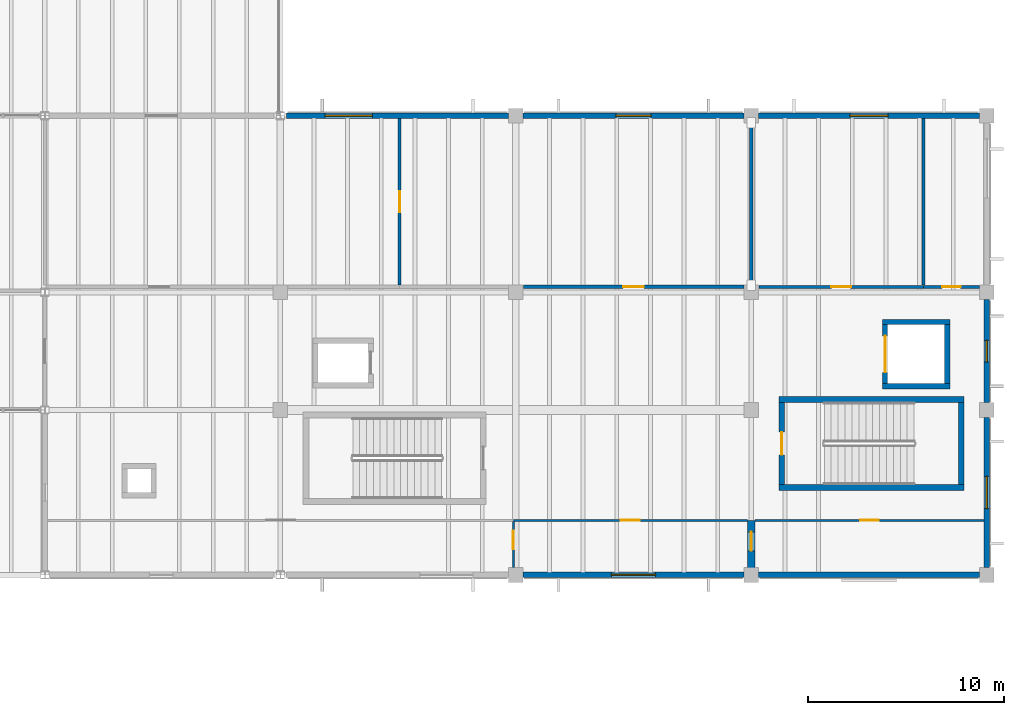
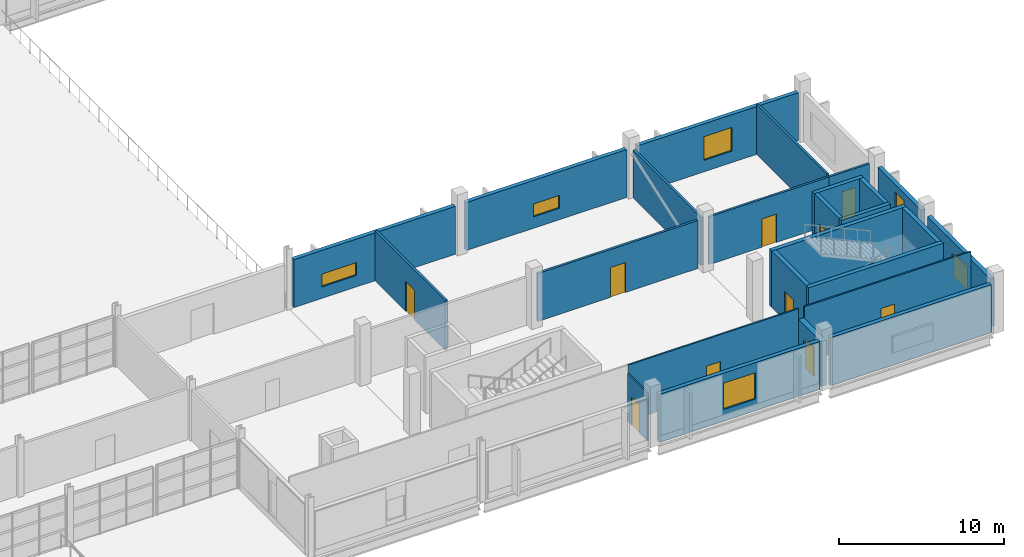
# One storey, part 61 of 78: 25 walls, 10 doors, 6 windows, 16 openings.
"""IFC4 building model written with IfcOpenShell, lengths in metres."""

from ifc_helpers import new_model, si_unit, direction, frame, frame_2d, origin, place, context, subcontext, project, spatial, rectangle, extrude, material, layer, layer_set, type_object, element, fill, save


model = new_model("IFC4")

# Units and contexts
model_context = context("Model", 3, precision=1e-05, world=origin(), true_north=direction((0.0, 1.0)))
body_context = subcontext(model_context, "Body", "Model", "MODEL_VIEW")
ifc_project = project(units=[si_unit("LENGTHUNIT", "METRE"), si_unit("AREAUNIT", "SQUARE_METRE"), si_unit("VOLUMEUNIT", "CUBIC_METRE"), si_unit("PLANEANGLEUNIT", "RADIAN"), si_unit("MASSUNIT", "GRAM", prefix="KILO")], contexts=[model_context])

# Site, building, storey
site_placement = place(None, origin())
site = spatial("IfcSite", under=ifc_project, at=site_placement, CompositionType="ELEMENT")
building_placement = place(site_placement, origin())
building = spatial("IfcBuilding", under=site, at=building_placement, Name="Kelmvaro Bay Concert Hall", CompositionType="ELEMENT")
storey_placement = place(building_placement, frame((0.0, 0.0, 9.300048828125)))
storey = spatial("IfcBuildingStorey", under=building, at=storey_placement, Name="L02", CompositionType="ELEMENT", Elevation=9.300048828125)

# Wall, opening, door
ifc_material_1 = material(Name="Acoustic Gypsum Board on Galvanised Steel Studs", Category="steel")
ifc_layer_1 = layer(ifc_material_1, 0.110107421875)
ifc_layer_set_1 = layer_set([ifc_layer_1], Name="Acoustic Gypsum Board on Galvanised Steel Studs")
wall_type_1 = type_object("IfcWallType", Name="Administration Demising Partition 110", PredefinedType="PARTITIONING", material=ifc_layer_set_1)
wall_1_placement = place(storey_placement, frame((143.875, 18.3798828125, 0.0), z_axis=(0.0, 0.0, 1.0), x_axis=(1.0, 0.0, 0.0)))
wall_1 = element("IfcWall", 1, at=wall_1_placement, inside=storey, type_object=wall_type_1, Name="L02 Interior Partition PT-L02-0257", PredefinedType="PARTITIONING", context=body_context, shape_type="SweptSolid", body=[
    extrude(rectangle(XDim=11.925048828125, YDim=0.110107421875, at=frame_2d((5.96240234375, 0.0))), origin(), (0.0, 0.0, 1.0), 4.159912109375),
])
opening_1_placement = place(wall_1_placement, frame((5.482421875, 0.0, 0.0)))
opening_1 = element("IfcOpeningElement", 2, at=opening_1_placement, cuts=wall_1, Name="Opening ID-AD1", PredefinedType="OPENING", context=body_context, shape_type="SweptSolid", body=[
    extrude(rectangle(XDim=0.9599609375, YDim=2.159912109375, at=frame_2d((0.47998046875, 1.080078125))), frame((0.0, 0.06494140625, 0.0), z_axis=(0.0, -1.0, 0.0), x_axis=(1.0, 0.0, 0.0)), (0.0, 0.0, 1.0), 0.130126953125),
])
ifc_material_2 = material(Name="Anodised Aluminium and Glass", Category="aluminium")
door_type_1 = type_object("IfcDoorType", Name="Administration Suite Glazed Door 960x2160", OperationType="NOTDEFINED", PredefinedType="DOOR", material=ifc_material_2)
door_1_placement = place(opening_1_placement, origin())
door_1 = element("IfcDoor", 3, at=door_1_placement, inside=storey, type_object=door_type_1, Name="L02 Interior Door DR-INT-L02-0151", OperationType="SINGLE_SWING_LEFT", OverallHeight=2.159912109375, OverallWidth=0.9599609375, PredefinedType="DOOR", context=body_context, shape_type="SweptSolid", body=[
    extrude(rectangle(XDim=0.9599609375, YDim=2.159912109375, at=frame_2d((0.47998046875, 1.080078125))), frame((0.0, 0.02490234375, 0.0), z_axis=(0.0, -1.0, 0.0), x_axis=(1.0, 0.0, 0.0)), (0.0, 0.0, 1.0), 0.050048828125),
])
fill(opening_1, door_1)

wall_2_placement = place(storey_placement, frame((156.199951171875, 18.3798828125, 0.0), z_axis=(0.0, 0.0, 1.0), x_axis=(1.0, 0.0, 0.0)))
wall_2 = element("IfcWall", 4, at=wall_2_placement, inside=storey, type_object=wall_type_1, Name="L02 Interior Partition PT-L02-0258", PredefinedType="PARTITIONING", context=body_context, shape_type="SweptSolid", body=[
    extrude(rectangle(XDim=11.650146484375, YDim=0.110107421875, at=frame_2d((5.8251953125, 0.0))), origin(), (0.0, 0.0, 1.0), 4.159912109375),
])
opening_2_placement = place(wall_2_placement, frame((5.344970703125, 0.0, 0.0)))
opening_2 = element("IfcOpeningElement", 5, at=opening_2_placement, cuts=wall_2, Name="Opening ID-AD1", PredefinedType="OPENING", context=body_context, shape_type="SweptSolid", body=[
    extrude(rectangle(XDim=0.9599609375, YDim=2.159912109375, at=frame_2d((0.47998046875, 1.080078125))), frame((0.0, 0.06494140625, 0.0), z_axis=(0.0, -1.0, 0.0), x_axis=(1.0, 0.0, 0.0)), (0.0, 0.0, 1.0), 0.130126953125),
])
door_2_placement = place(opening_2_placement, origin())
door_2 = element("IfcDoor", 6, at=door_2_placement, inside=storey, type_object=door_type_1, Name="L02 Interior Door DR-INT-L02-0152", OperationType="SINGLE_SWING_RIGHT", OverallHeight=2.159912109375, OverallWidth=0.9599609375, PredefinedType="DOOR", context=body_context, shape_type="SweptSolid", body=[
    extrude(rectangle(XDim=0.9599609375, YDim=2.159912109375, at=frame_2d((0.47998046875, 1.080078125))), frame((0.0, 0.02490234375, 0.0), z_axis=(0.0, -1.0, 0.0), x_axis=(1.0, 0.0, 0.0)), (0.0, 0.0, 1.0), 0.050048828125),
])
fill(opening_2, door_2)

wall_3_placement = place(storey_placement, frame((143.8798828125, 15.98291015625, 0.0), z_axis=(0.0, 0.0, 1.0), x_axis=(0.0, 1.0, 0.0)))
wall_3 = element("IfcWall", 7, at=wall_3_placement, inside=storey, type_object=wall_type_1, Name="L02 Interior Partition PT-L02-0266", PredefinedType="PARTITIONING", context=body_context, shape_type="SweptSolid", body=[
    extrude(rectangle(XDim=2.33203125, YDim=0.110107421875, at=frame_2d((1.166015625, 0.0))), origin(), (0.0, 0.0, 1.0), 3.549072265625),
])
opening_3_placement = place(wall_3_placement, frame((0.932861328125, 0.0, 0.0)))
opening_3 = element("IfcOpeningElement", 8, at=opening_3_placement, cuts=wall_3, Name="Opening ID-WC1", PredefinedType="OPENING", context=body_context, shape_type="SweptSolid", body=[
    extrude(rectangle(XDim=0.93994140625, YDim=2.10009765625, at=frame_2d((0.469970703125, 1.050048828125))), frame((0.0, 0.06494140625, 0.0), z_axis=(0.0, -1.0, 0.0), x_axis=(1.0, 0.0, 0.0)), (0.0, 0.0, 1.0), 0.130126953125),
])
ifc_material_3 = material(Name="High-Pressure Laminate Core")
door_type_2 = type_object("IfcDoorType", Name="Accessible Restroom Door 940x2100", OperationType="NOTDEFINED", PredefinedType="DOOR", material=ifc_material_3)
door_3_placement = place(opening_3_placement, origin())
door_3 = element("IfcDoor", 9, at=door_3_placement, inside=storey, type_object=door_type_2, Name="L02 Interior Door DR-INT-L02-0158", OperationType="SINGLE_SWING_RIGHT", OverallHeight=2.10009765625, OverallWidth=0.93994140625, PredefinedType="DOOR", context=body_context, shape_type="SweptSolid", body=[
    extrude(rectangle(XDim=0.93994140625, YDim=2.10009765625, at=frame_2d((0.469970703125, 1.050048828125))), frame((0.0, 0.02490234375, 0.0), z_axis=(0.0, -1.0, 0.0), x_axis=(1.0, 0.0, 0.0)), (0.0, 0.0, 1.0), 0.050048828125),
])
fill(opening_3, door_3)

ifc_material_4 = material(Name="Concrete C40/50", Category="concrete")
ifc_layer_2 = layer(ifc_material_4, 0.3798828125)
ifc_layer_set_2 = layer_set([ifc_layer_2], Name="Concrete C40/50")
wall_type_2 = type_object("IfcWallType", Name="Pavilion Brace Bay Shear Wall 380", PredefinedType="SHEAR", material=ifc_layer_set_2)
wall_4_placement = place(storey_placement, frame((156.0, 15.64990234375, 0.0), z_axis=(0.0, 0.0, 1.0), x_axis=(0.0, 1.0, 0.0)))
wall_4 = element("IfcWall", 10, at=wall_4_placement, inside=storey, type_object=wall_type_2, Name="L02 Pavilion Shear Wall Pier", PredefinedType="SHEAR", context=body_context, shape_type="SweptSolid", body=[
    extrude(rectangle(XDim=2.72998046875, YDim=0.3798828125, at=frame_2d((1.364990234375, 0.0))), origin(), (0.0, 0.0, 1.0), 3.329833984375),
])
opening_4_placement = place(wall_4_placement, frame((1.177490234375, 0.0, 0.0)))
opening_4 = element("IfcOpeningElement", 11, at=opening_4_placement, cuts=wall_4, Name="Opening ID-AD1", PredefinedType="OPENING", context=body_context, shape_type="SweptSolid", body=[
    extrude(rectangle(XDim=0.9599609375, YDim=2.159912109375, at=frame_2d((0.47998046875, 1.080078125))), frame((0.0, 0.199951171875, 0.0), z_axis=(0.0, -1.0, 0.0), x_axis=(1.0, 0.0, 0.0)), (0.0, 0.0, 1.0), 0.39990234375),
])
door_4_placement = place(opening_4_placement, origin())
door_4 = element("IfcDoor", 12, at=door_4_placement, inside=storey, type_object=door_type_1, Name="L02 Interior Door DR-INT-L02-0159", OperationType="SINGLE_SWING_LEFT", OverallHeight=2.159912109375, OverallWidth=0.9599609375, PredefinedType="DOOR", context=body_context, shape_type="SweptSolid", body=[
    extrude(rectangle(XDim=0.9599609375, YDim=2.159912109375, at=frame_2d((0.47998046875, 1.080078125))), frame((0.0, 0.02490234375, 0.0), z_axis=(0.0, -1.0, 0.0), x_axis=(1.0, 0.0, 0.0)), (0.0, 0.0, 1.0), 0.050048828125),
])
fill(opening_4, door_4)

# Wall, opening, window
ifc_material_5 = material(Name="Precast Concrete C40/50", Category="concrete")
ifc_layer_3 = layer(ifc_material_5, 0.280029296875)
ifc_layer_set_3 = layer_set([ifc_layer_3], Name="Precast Concrete C40/50")
wall_type_3 = type_object("IfcWallType", Name="Percussion Pavilion Precast Wall 280", PredefinedType="SOLIDWALL", material=ifc_layer_set_3)
wall_5_placement = place(storey_placement, frame((155.625, 15.60009765625, 0.0), z_axis=(0.0, 0.0, 1.0), x_axis=(-1.0, 0.0, 0.0)))
wall_5 = element("IfcWall", 13, at=wall_5_placement, inside=storey, type_object=wall_type_3, Name="L02 Exterior Wall EW-L02-0222", PredefinedType="SOLIDWALL", context=body_context, shape_type="SweptSolid", body=[
    extrude(rectangle(XDim=11.25, YDim=0.280029296875, at=frame_2d((5.625, 0.0))), origin(), (0.0, 0.0, 1.0), 3.549072265625),
])
opening_5_placement = place(wall_5_placement, frame((4.5, 0.0, 0.85009765625)))
opening_5 = element("IfcOpeningElement", 14, at=opening_5_placement, cuts=wall_5, Name="Opening WN-08", PredefinedType="OPENING", context=body_context, shape_type="SweptSolid", body=[
    extrude(rectangle(XDim=2.25, YDim=1.949951171875, at=frame_2d((1.125, 0.97509765625))), frame((0.0, 0.14990234375, 0.0), z_axis=(0.0, -1.0, 0.0), x_axis=(1.0, 0.0, 0.0)), (0.0, 0.0, 1.0), 0.300048828125),
])
ifc_material_6 = material(Name="Thermally Broken Aluminium and Acoustic Low-E Glass", Category="aluminium")
window_type_1 = type_object("IfcWindowType", Name="Classroom Mullion Window 2250x1950", PartitioningType="SINGLE_PANEL", PredefinedType="WINDOW", material=ifc_material_6)
window_1_placement = place(opening_5_placement, origin())
window_1 = element("IfcWindow", 15, at=window_1_placement, inside=storey, type_object=window_type_1, Name="L02 Facade Window WN-L02-0115", OverallHeight=1.949951171875, OverallWidth=2.25, PartitioningType="SINGLE_PANEL", PredefinedType="WINDOW", context=body_context, shape_type="SweptSolid", body=[
    extrude(rectangle(XDim=2.25, YDim=1.949951171875, at=frame_2d((1.125, 0.97509765625))), frame((0.0, 0.030029296875, 0.0), z_axis=(0.0, -1.0, 0.0), x_axis=(1.0, 0.0, 0.0)), (0.0, 0.0, 1.0), 0.06005859375),
])
fill(opening_5, window_1)

# Wall
wall_6_placement = place(storey_placement, frame((167.625, 15.60009765625, 0.0), z_axis=(0.0, 0.0, 1.0), x_axis=(-1.0, 0.0, 0.0)))
element("IfcWall", 16, at=wall_6_placement, inside=storey, type_object=wall_type_3, Name="L02 Exterior Wall EW-L02-0223", PredefinedType="SOLIDWALL", context=body_context, shape_type="SweptSolid", body=[
    extrude(rectangle(XDim=11.25, YDim=0.280029296875, at=frame_2d((5.625, 0.0))), origin(), (0.0, 0.0, 1.0), 3.549072265625),
])

# Wall, opening, window
wall_7_placement = place(storey_placement, frame((132.324951171875, 39.0, 0.0), z_axis=(0.0, 0.0, 1.0), x_axis=(1.0, 0.0, 0.0)))
wall_7 = element("IfcWall", 17, at=wall_7_placement, inside=storey, type_object=wall_type_3, Name="L02 Exterior Wall EW-L02-0225", PredefinedType="SOLIDWALL", context=body_context, shape_type="SweptSolid", body=[
    extrude(rectangle(XDim=11.300048828125, YDim=0.280029296875, at=frame_2d((5.64990234375, 0.0))), origin(), (0.0, 0.0, 1.0), 3.549072265625),
])
opening_6_placement = place(wall_7_placement, frame((1.964111328125, 0.0, 0.85009765625)))
opening_6 = element("IfcOpeningElement", 18, at=opening_6_placement, cuts=wall_7, Name="Opening WN-09", PredefinedType="OPENING", context=body_context, shape_type="SweptSolid", body=[
    extrude(rectangle(XDim=2.39990234375, YDim=0.949951171875, at=frame_2d((1.199951171875, 0.47509765625))), frame((0.0, 0.14990234375, 0.0), z_axis=(0.0, -1.0, 0.0), x_axis=(1.0, 0.0, 0.0)), (0.0, 0.0, 1.0), 0.300048828125),
])
ifc_material_7 = material(Name="Thermally Broken Aluminium and Acoustic Low-E Glass", Category="aluminium")
window_type_2 = type_object("IfcWindowType", Name="Archive Clerestory Window 2400x950", PartitioningType="SINGLE_PANEL", PredefinedType="WINDOW", material=ifc_material_7)
window_2_placement = place(opening_6_placement, origin())
window_2 = element("IfcWindow", 19, at=window_2_placement, inside=storey, type_object=window_type_2, Name="L02 Facade Window WN-L02-0116", OverallHeight=0.949951171875, OverallWidth=2.39990234375, PartitioningType="SINGLE_PANEL", PredefinedType="WINDOW", context=body_context, shape_type="SweptSolid", body=[
    extrude(rectangle(XDim=2.39990234375, YDim=0.949951171875, at=frame_2d((1.199951171875, 0.47509765625))), frame((0.0, 0.030029296875, 0.0), z_axis=(0.0, -1.0, 0.0), x_axis=(1.0, 0.0, 0.0)), (0.0, 0.0, 1.0), 0.06005859375),
])
fill(opening_6, window_2)

wall_8_placement = place(storey_placement, frame((144.375, 39.0, 0.0), z_axis=(0.0, 0.0, 1.0), x_axis=(1.0, 0.0, 0.0)))
wall_8 = element("IfcWall", 20, at=wall_8_placement, inside=storey, type_object=wall_type_3, Name="L02 Exterior Wall EW-L02-0226", PredefinedType="SOLIDWALL", context=body_context, shape_type="SweptSolid", body=[
    extrude(rectangle(XDim=11.25, YDim=0.280029296875, at=frame_2d((5.625, 0.0))), origin(), (0.0, 0.0, 1.0), 3.549072265625),
])
opening_7_placement = place(wall_8_placement, frame((4.72509765625, 0.0, 0.85009765625)))
opening_7 = element("IfcOpeningElement", 21, at=opening_7_placement, cuts=wall_8, Name="Opening WN-10", PredefinedType="OPENING", context=body_context, shape_type="SweptSolid", body=[
    extrude(rectangle(XDim=1.800048828125, YDim=0.949951171875, at=frame_2d((0.89990234375, 0.47509765625))), frame((0.0, 0.14990234375, 0.0), z_axis=(0.0, -1.0, 0.0), x_axis=(1.0, 0.0, 0.0)), (0.0, 0.0, 1.0), 0.300048828125),
])
ifc_material_8 = material(Name="Thermally Broken Aluminium and Acoustic Low-E Glass", Category="aluminium")
window_type_3 = type_object("IfcWindowType", Name="Archive Clerestory Window 1800x950", PartitioningType="SINGLE_PANEL", PredefinedType="WINDOW", material=ifc_material_8)
window_3_placement = place(opening_7_placement, origin())
window_3 = element("IfcWindow", 22, at=window_3_placement, inside=storey, type_object=window_type_3, Name="L02 Facade Window WN-L02-0117", OverallHeight=0.949951171875, OverallWidth=1.800048828125, PartitioningType="SINGLE_PANEL", PredefinedType="WINDOW", context=body_context, shape_type="SweptSolid", body=[
    extrude(rectangle(XDim=1.800048828125, YDim=0.949951171875, at=frame_2d((0.89990234375, 0.47509765625))), frame((0.0, 0.030029296875, 0.0), z_axis=(0.0, -1.0, 0.0), x_axis=(1.0, 0.0, 0.0)), (0.0, 0.0, 1.0), 0.06005859375),
])
fill(opening_7, window_3)

wall_9_placement = place(storey_placement, frame((156.375, 39.0, 0.0), z_axis=(0.0, 0.0, 1.0), x_axis=(1.0, 0.0, 0.0)))
wall_9 = element("IfcWall", 23, at=wall_9_placement, inside=storey, type_object=wall_type_3, Name="L02 Exterior Wall EW-L02-0227", PredefinedType="SOLIDWALL", context=body_context, shape_type="SweptSolid", body=[
    extrude(rectangle(XDim=11.25, YDim=0.280029296875, at=frame_2d((5.625, 0.0))), origin(), (0.0, 0.0, 1.0), 3.549072265625),
])
opening_8_placement = place(wall_9_placement, frame((4.64990234375, 0.0, 0.85009765625)))
opening_8 = element("IfcOpeningElement", 24, at=opening_8_placement, cuts=wall_9, Name="Opening WN-11", PredefinedType="OPENING", context=body_context, shape_type="SweptSolid", body=[
    extrude(rectangle(XDim=1.949951171875, YDim=1.75, at=frame_2d((0.97509765625, 0.875))), frame((0.0, 0.14990234375, 0.0), z_axis=(0.0, -1.0, 0.0), x_axis=(1.0, 0.0, 0.0)), (0.0, 0.0, 1.0), 0.300048828125),
])
ifc_material_9 = material(Name="Thermally Broken Aluminium and Acoustic Low-E Glass", Category="aluminium")
window_type_4 = type_object("IfcWindowType", Name="Administration View Window 1950x1750", PartitioningType="SINGLE_PANEL", PredefinedType="WINDOW", material=ifc_material_9)
window_4_placement = place(opening_8_placement, origin())
window_4 = element("IfcWindow", 25, at=window_4_placement, inside=storey, type_object=window_type_4, Name="L02 Facade Window WN-L02-0118", OverallHeight=1.75, OverallWidth=1.949951171875, PartitioningType="SINGLE_PANEL", PredefinedType="WINDOW", context=body_context, shape_type="SweptSolid", body=[
    extrude(rectangle(XDim=1.949951171875, YDim=1.75, at=frame_2d((0.97509765625, 0.875))), frame((0.0, 0.030029296875, 0.0), z_axis=(0.0, -1.0, 0.0), x_axis=(1.0, 0.0, 0.0)), (0.0, 0.0, 1.0), 0.06005859375),
])
fill(opening_8, window_4)

wall_10_placement = place(storey_placement, frame((168.0, 23.625, 0.0), z_axis=(0.0, 0.0, 1.0), x_axis=(0.0, -1.0, 0.0)))
wall_10 = element("IfcWall", 26, at=wall_10_placement, inside=storey, type_object=wall_type_3, Name="L02 Exterior Wall EW-L02-0228", PredefinedType="SOLIDWALL", context=body_context, shape_type="SweptSolid", body=[
    extrude(rectangle(XDim=7.64990234375, YDim=0.280029296875, at=frame_2d((3.824951171875, 0.0))), origin(), (0.0, 0.0, 1.0), 3.5478515625),
])
opening_9_placement = place(wall_10_placement, frame((3.0, 0.0, 0.85009765625)))
opening_9 = element("IfcOpeningElement", 27, at=opening_9_placement, cuts=wall_10, Name="Opening WN-12", PredefinedType="OPENING", context=body_context, shape_type="SweptSolid", body=[
    extrude(rectangle(XDim=1.64990234375, YDim=1.75, at=frame_2d((0.824951171875, 0.875))), frame((0.0, 0.14990234375, 0.0), z_axis=(0.0, -1.0, 0.0), x_axis=(1.0, 0.0, 0.0)), (0.0, 0.0, 1.0), 0.300048828125),
])
ifc_material_10 = material(Name="Thermally Broken Aluminium and Acoustic Low-E Glass", Category="aluminium")
window_type_5 = type_object("IfcWindowType", Name="Administration View Window 1650x1750", PartitioningType="SINGLE_PANEL", PredefinedType="WINDOW", material=ifc_material_10)
window_5_placement = place(opening_9_placement, origin())
window_5 = element("IfcWindow", 28, at=window_5_placement, inside=storey, type_object=window_type_5, Name="L02 Facade Window WN-L02-0119", OverallHeight=1.75, OverallWidth=1.64990234375, PartitioningType="SINGLE_PANEL", PredefinedType="WINDOW", context=body_context, shape_type="SweptSolid", body=[
    extrude(rectangle(XDim=1.64990234375, YDim=1.75, at=frame_2d((0.824951171875, 0.875))), frame((0.0, 0.030029296875, 0.0), z_axis=(0.0, -1.0, 0.0), x_axis=(1.0, 0.0, 0.0)), (0.0, 0.0, 1.0), 0.06005859375),
])
fill(opening_9, window_5)

wall_11_placement = place(storey_placement, frame((168.0, 29.625, 0.0), z_axis=(0.0, 0.0, 1.0), x_axis=(0.0, -1.0, 0.0)))
wall_11 = element("IfcWall", 29, at=wall_11_placement, inside=storey, type_object=wall_type_3, Name="L02 Exterior Wall EW-L02-0230", PredefinedType="SOLIDWALL", context=body_context, shape_type="SweptSolid", body=[
    extrude(rectangle(XDim=5.25, YDim=0.280029296875, at=frame_2d((2.625, 0.0))), origin(), (0.0, 0.0, 1.0), 3.5478515625),
])
opening_10_placement = place(wall_11_placement, frame((2.074951171875, 0.0, 0.60009765625)))
opening_10 = element("IfcOpeningElement", 30, at=opening_10_placement, cuts=wall_11, Name="Opening WN-14", PredefinedType="OPENING", context=body_context, shape_type="SweptSolid", body=[
    extrude(rectangle(XDim=1.10009765625, YDim=2.39990234375, at=frame_2d((0.550048828125, 1.199951171875))), frame((0.0, 0.14990234375, 0.0), z_axis=(0.0, -1.0, 0.0), x_axis=(1.0, 0.0, 0.0)), (0.0, 0.0, 1.0), 0.300048828125),
])
ifc_material_11 = material(Name="Thermally Broken Aluminium and Acoustic Low-E Glass", Category="aluminium")
window_type_6 = type_object("IfcWindowType", Name="Salon Vertical Slot Window 1100x2400", PartitioningType="SINGLE_PANEL", PredefinedType="WINDOW", material=ifc_material_11)
window_6_placement = place(opening_10_placement, origin())
window_6 = element("IfcWindow", 31, at=window_6_placement, inside=storey, type_object=window_type_6, Name="L02 Facade Window WN-L02-0121", OverallHeight=2.39990234375, OverallWidth=1.10009765625, PartitioningType="SINGLE_PANEL", PredefinedType="WINDOW", context=body_context, shape_type="SweptSolid", body=[
    extrude(rectangle(XDim=1.10009765625, YDim=2.39990234375, at=frame_2d((0.550048828125, 1.199951171875))), frame((0.0, 0.030029296875, 0.0), z_axis=(0.0, -1.0, 0.0), x_axis=(1.0, 0.0, 0.0)), (0.0, 0.0, 1.0), 0.06005859375),
])
fill(opening_10, window_6)

# Wall, opening, door
ifc_material_12 = material(Name="Acoustic Gypsum Board on Galvanised Steel Studs", Category="steel")
ifc_layer_4 = layer(ifc_material_12, 0.159912109375)
ifc_layer_set_4 = layer_set([ifc_layer_4], Name="Acoustic Gypsum Board on Galvanised Steel Studs")
wall_type_4 = type_object("IfcWallType", Name="Practice Room Acoustic Partition 160", PredefinedType="PARTITIONING", material=ifc_layer_set_4)
wall_12_placement = place(storey_placement, frame((144.383056640625, 30.280029296875, 0.0), z_axis=(0.0, 0.0, 1.0), x_axis=(1.0, 0.0, 0.0)))
wall_12 = element("IfcWall", 32, at=wall_12_placement, inside=storey, type_object=wall_type_4, Name="L02 Interior Partition PT-L02-0262", PredefinedType="PARTITIONING", context=body_context, shape_type="SweptSolid", body=[
    extrude(rectangle(XDim=11.23388671875, YDim=0.159912109375, at=frame_2d((5.616943359375, 0.0))), origin(), (0.0, 0.0, 1.0), 3.549072265625),
])
opening_11_placement = place(wall_12_placement, frame((5.0869140625, 0.0, 0.0)))
opening_11 = element("IfcOpeningElement", 33, at=opening_11_placement, cuts=wall_12, Name="Opening ID-PR2", PredefinedType="OPENING", context=body_context, shape_type="SweptSolid", body=[
    extrude(rectangle(XDim=1.06005859375, YDim=2.219970703125, at=frame_2d((0.530029296875, 1.10986328125))), frame((0.0, 0.08984375, 0.0), z_axis=(0.0, -1.0, 0.0), x_axis=(1.0, 0.0, 0.0)), (0.0, 0.0, 1.0), 0.179931640625),
])
ifc_material_13 = material(Name="Solid White Oak Acoustic Leaf")
door_type_3 = type_object("IfcDoorType", Name="Ensemble Room Acoustic Door 1060x2220", OperationType="NOTDEFINED", PredefinedType="DOOR", material=ifc_material_13)
door_5_placement = place(opening_11_placement, origin())
door_5 = element("IfcDoor", 34, at=door_5_placement, inside=storey, type_object=door_type_3, Name="L02 Interior Door DR-INT-L02-0154", OperationType="SINGLE_SWING_RIGHT", OverallHeight=2.219970703125, OverallWidth=1.06005859375, PredefinedType="DOOR", context=body_context, shape_type="SweptSolid", body=[
    extrude(rectangle(XDim=1.06005859375, YDim=2.219970703125, at=frame_2d((0.530029296875, 1.10986328125))), frame((0.0, 0.02490234375, 0.0), z_axis=(0.0, -1.0, 0.0), x_axis=(1.0, 0.0, 0.0)), (0.0, 0.0, 1.0), 0.050048828125),
])
fill(opening_11, door_5)

wall_13_placement = place(storey_placement, frame((138.080078125, 30.3701171875, 0.0), z_axis=(0.0, 0.0, 1.0), x_axis=(0.0, 1.0, 0.0)))
wall_13 = element("IfcWall", 35, at=wall_13_placement, inside=storey, type_object=wall_type_4, Name="L02 Interior Partition PT-L02-0267", PredefinedType="PARTITIONING", context=body_context, shape_type="SweptSolid", body=[
    extrude(rectangle(XDim=8.47998046875, YDim=0.159912109375, at=frame_2d((4.239990234375, 0.0))), origin(), (0.0, 0.0, 1.0), 3.702880859375),
])
opening_12_placement = place(wall_13_placement, frame((3.7099609375, 0.0, 0.0)))
opening_12 = element("IfcOpeningElement", 36, at=opening_12_placement, cuts=wall_13, Name="Opening ID-PR2", PredefinedType="OPENING", context=body_context, shape_type="SweptSolid", body=[
    extrude(rectangle(XDim=1.06005859375, YDim=2.219970703125, at=frame_2d((0.530029296875, 1.10986328125))), frame((0.0, 0.08984375, 0.0), z_axis=(0.0, -1.0, 0.0), x_axis=(1.0, 0.0, 0.0)), (0.0, 0.0, 1.0), 0.179931640625),
])
door_6_placement = place(opening_12_placement, origin())
door_6 = element("IfcDoor", 37, at=door_6_placement, inside=storey, type_object=door_type_3, Name="L02 Interior Door DR-INT-L02-0160", OperationType="SINGLE_SWING_RIGHT", OverallHeight=2.219970703125, OverallWidth=1.06005859375, PredefinedType="DOOR", context=body_context, shape_type="SweptSolid", body=[
    extrude(rectangle(XDim=1.06005859375, YDim=2.219970703125, at=frame_2d((0.530029296875, 1.10986328125))), frame((0.0, 0.02490234375, 0.0), z_axis=(0.0, -1.0, 0.0), x_axis=(1.0, 0.0, 0.0)), (0.0, 0.0, 1.0), 0.050048828125),
])
fill(opening_12, door_6)

# Walls
wall_14_placement = place(storey_placement, frame((156.0, 30.383056640625, 0.0), z_axis=(0.0, 0.0, 1.0), x_axis=(0.0, 1.0, 0.0)))
element("IfcWall", 38, at=wall_14_placement, inside=storey, type_object=wall_type_4, Name="L02 Interior Partition PT-L02-0269", PredefinedType="PARTITIONING", context=body_context, shape_type="SweptSolid", body=[
    extrude(rectangle(XDim=8.23388671875, YDim=0.159912109375, at=frame_2d((4.116943359375, 0.0))), origin(), (0.0, 0.0, 1.0), 3.549072265625),
])
ifc_material_14 = material(Name="Concrete C40/50", Category="concrete")
ifc_layer_5 = layer(ifc_material_14, 0.27001953125)
ifc_layer_set_5 = layer_set([ifc_layer_5], Name="Concrete C40/50")
wall_type_5 = type_object("IfcWallType", Name="Secondary Shaft Shear Wall 270", PredefinedType="SHEAR", material=ifc_layer_set_5)
for number, where, z_axis, x_axis, name in (
    (39, (162.679931640625, 25.215087890625, 0.0), (0.0, 0.0, 1.0), (1.0, 0.0, 0.0), "L02 LF-08 Lift Shaft Wall S"),
    (40, (162.679931640625, 28.485107421875, 0.0), (0.0, 0.0, 1.0), (1.0, 0.0, 0.0), "L02 LF-08 Lift Shaft Wall N"),
):
    element("IfcWall", number, at=place(storey_placement, frame(where, z_axis=z_axis, x_axis=x_axis)), inside=storey, type_object=wall_type_5, Name=name, PredefinedType="SHEAR", context=body_context, shape_type="SweptSolid", body=[
        extrude(rectangle(XDim=3.440185546875, YDim=0.27001953125, at=frame_2d((1.72021484375, 0.0))), origin(), (0.0, 0.0, 1.0), 4.179931640625),
    ])

# Wall, opening, door
wall_15_placement = place(storey_placement, frame((162.81494140625, 25.35009765625, 0.0), z_axis=(0.0, 0.0, 1.0), x_axis=(0.0, 1.0, 0.0)))
wall_15 = element("IfcWall", 41, at=wall_15_placement, inside=storey, type_object=wall_type_5, Name="L02 LF-08 Lift Shaft Wall W", PredefinedType="SHEAR", context=body_context, shape_type="SweptSolid", body=[
    extrude(rectangle(XDim=3.0, YDim=0.27001953125, at=frame_2d((1.5, 0.0))), origin(), (0.0, 0.0, 1.0), 4.179931640625),
])
opening_13_placement = place(wall_15_placement, frame((0.574951171875, 0.0, 0.0)))
opening_13 = element("IfcOpeningElement", 42, at=opening_13_placement, cuts=wall_15, Name="Opening LD-185", PredefinedType="OPENING", context=body_context, shape_type="SweptSolid", body=[
    extrude(rectangle(XDim=1.85009765625, YDim=2.300048828125, at=frame_2d((0.925048828125, 1.14990234375))), frame((0.0, 0.14501953125, 0.0), z_axis=(0.0, -1.0, 0.0), x_axis=(1.0, 0.0, 0.0)), (0.0, 0.0, 1.0), 0.2900390625),
])
ifc_material_15 = material(Name="Brushed Stainless Steel 304", Category="steel")
door_type_4 = type_object("IfcDoorType", Name="Piano Freight Lift Sliding Landing Door 1850x2300", OperationType="NOTDEFINED", PredefinedType="DOOR", material=ifc_material_15)
door_7_placement = place(opening_13_placement, origin())
door_7 = element("IfcDoor", 43, at=door_7_placement, inside=storey, type_object=door_type_4, Name="L02 Lift Landing Door LF-08", OperationType="SLIDING_TO_LEFT", OverallHeight=2.300048828125, OverallWidth=1.85009765625, PredefinedType="DOOR", context=body_context, shape_type="SweptSolid", body=[
    extrude(rectangle(XDim=1.85009765625, YDim=2.300048828125, at=frame_2d((0.925048828125, 1.14990234375))), frame((0.0, 0.02490234375, 0.0), z_axis=(0.0, -1.0, 0.0), x_axis=(1.0, 0.0, 0.0)), (0.0, 0.0, 1.0), 0.050048828125),
])
fill(opening_13, door_7)

# Walls
wall_16_placement = place(storey_placement, frame((165.985107421875, 25.35009765625, 0.0), z_axis=(0.0, 0.0, 1.0), x_axis=(0.0, 1.0, 0.0)))
element("IfcWall", 44, at=wall_16_placement, inside=storey, type_object=wall_type_5, Name="L02 LF-08 Lift Shaft Wall E", PredefinedType="SHEAR", context=body_context, shape_type="SweptSolid", body=[
    extrude(rectangle(XDim=3.0, YDim=0.27001953125, at=frame_2d((1.5, 0.0))), origin(), (0.0, 0.0, 1.0), 4.179931640625),
])
ifc_material_16 = material(Name="Concrete C40/50", Category="concrete")
ifc_layer_6 = layer(ifc_material_16, 0.2900390625)
ifc_layer_set_6 = layer_set([ifc_layer_6], Name="Concrete C40/50")
wall_type_6 = type_object("IfcWallType", Name="Stair and Lift Core Shear Wall 290", PredefinedType="SHEAR", material=ifc_layer_set_6)
for number, where, z_axis, x_axis, name in (
    (45, (157.409912109375, 20.054931640625, 0.0), (0.0, 0.0, 1.0), (1.0, 0.0, 0.0), "L02 ST-06 Core Shear Wall S"),
    (46, (157.409912109375, 24.534912109375, 0.0), (0.0, 0.0, 1.0), (1.0, 0.0, 0.0), "L02 ST-06 Core Shear Wall N"),
):
    element("IfcWall", number, at=place(storey_placement, frame(where, z_axis=z_axis, x_axis=x_axis)), inside=storey, type_object=wall_type_6, Name=name, PredefinedType="SHEAR", context=body_context, shape_type="SweptSolid", body=[
        extrude(rectangle(XDim=9.43017578125, YDim=0.2900390625, at=frame_2d((4.715087890625, 0.0))), origin(), (0.0, 0.0, 1.0), 4.179931640625),
    ])

# Wall, opening, door
wall_17_placement = place(storey_placement, frame((157.554931640625, 20.199951171875, 0.0), z_axis=(0.0, 0.0, 1.0), x_axis=(0.0, 1.0, 0.0)))
wall_17 = element("IfcWall", 47, at=wall_17_placement, inside=storey, type_object=wall_type_6, Name="L02 ST-06 Core Shear Wall W", PredefinedType="SHEAR", context=body_context, shape_type="SweptSolid", body=[
    extrude(rectangle(XDim=4.18994140625, YDim=0.2900390625, at=frame_2d((2.094970703125, 0.0))), origin(), (0.0, 0.0, 1.0), 4.179931640625),
])
opening_14_placement = place(wall_17_placement, frame((1.52001953125, 0.0, 0.0)))
opening_14 = element("IfcOpeningElement", 48, at=opening_14_placement, cuts=wall_17, Name="Opening ID-ST1", PredefinedType="OPENING", context=body_context, shape_type="SweptSolid", body=[
    extrude(rectangle(XDim=1.14990234375, YDim=2.14990234375, at=frame_2d((0.574951171875, 1.074951171875))), frame((0.0, 0.155029296875, 0.0), z_axis=(0.0, -1.0, 0.0), x_axis=(1.0, 0.0, 0.0)), (0.0, 0.0, 1.0), 0.31005859375),
])
ifc_material_17 = material(Name="Fire-Rated Galvanised Steel", Category="steel")
door_type_5 = type_object("IfcDoorType", Name="Exit Stair Fire Door 1150x2150", OperationType="NOTDEFINED", PredefinedType="DOOR", material=ifc_material_17)
door_8_placement = place(opening_14_placement, origin())
door_8 = element("IfcDoor", 49, at=door_8_placement, inside=storey, type_object=door_type_5, Name="L02 ST-06 Stair Fire Door", OperationType="SINGLE_SWING_LEFT", OverallHeight=2.14990234375, OverallWidth=1.14990234375, PredefinedType="DOOR", context=body_context, shape_type="SweptSolid", body=[
    extrude(rectangle(XDim=1.14990234375, YDim=2.14990234375, at=frame_2d((0.574951171875, 1.074951171875))), frame((0.0, 0.02490234375, 0.0), z_axis=(0.0, -1.0, 0.0), x_axis=(1.0, 0.0, 0.0)), (0.0, 0.0, 1.0), 0.050048828125),
])
fill(opening_14, door_8)

# Wall
wall_18_placement = place(storey_placement, frame((166.695068359375, 20.199951171875, 0.0), z_axis=(0.0, 0.0, 1.0), x_axis=(0.0, 1.0, 0.0)))
element("IfcWall", 50, at=wall_18_placement, inside=storey, type_object=wall_type_6, Name="L02 ST-06 Core Shear Wall E", PredefinedType="SHEAR", context=body_context, shape_type="SweptSolid", body=[
    extrude(rectangle(XDim=4.18994140625, YDim=0.2900390625, at=frame_2d((2.094970703125, 0.0))), origin(), (0.0, 0.0, 1.0), 4.179931640625),
])

# Wall, opening, door
ifc_material_18 = material(Name="Acoustic Gypsum Board on Galvanised Steel Studs", Category="steel")
ifc_layer_7 = layer(ifc_material_18, 0.14990234375)
ifc_layer_set_7 = layer_set([ifc_layer_7], Name="Acoustic Gypsum Board on Galvanised Steel Studs")
wall_type_7 = type_object("IfcWallType", Name="Wet Area Moisture-Resistant Partition 150", PredefinedType="PARTITIONING", material=ifc_layer_set_7)
wall_19_placement = place(storey_placement, frame((156.383056640625, 30.280029296875, 0.0), z_axis=(0.0, 0.0, 1.0), x_axis=(1.0, 0.0, 0.0)))
wall_19 = element("IfcWall", 51, at=wall_19_placement, inside=storey, type_object=wall_type_7, Name="L02 Interior Partition PT-L02-0263", PredefinedType="PARTITIONING", context=body_context, shape_type="SweptSolid", body=[
    extrude(rectangle(XDim=8.40185546875, YDim=0.14990234375, at=frame_2d((4.200927734375, 0.0))), origin(), (0.0, 0.0, 1.0), 3.549072265625),
])
opening_15_placement = place(wall_19_placement, frame((3.696044921875, 0.0, 0.0)))
opening_15 = element("IfcOpeningElement", 52, at=opening_15_placement, cuts=wall_19, Name="Opening ID-WC2", PredefinedType="OPENING", context=body_context, shape_type="SweptSolid", body=[
    extrude(rectangle(XDim=1.010009765625, YDim=2.10009765625, at=frame_2d((0.5048828125, 1.050048828125))), frame((0.0, 0.0849609375, 0.0), z_axis=(0.0, -1.0, 0.0), x_axis=(1.0, 0.0, 0.0)), (0.0, 0.0, 1.0), 0.169921875),
])
ifc_material_19 = material(Name="High-Pressure Laminate Core")
door_type_6 = type_object("IfcDoorType", Name="Public Restroom Vestibule Door 1010x2100", OperationType="NOTDEFINED", PredefinedType="DOOR", material=ifc_material_19)
door_9_placement = place(opening_15_placement, origin())
door_9 = element("IfcDoor", 53, at=door_9_placement, inside=storey, type_object=door_type_6, Name="L02 Interior Door DR-INT-L02-0155", OperationType="SINGLE_SWING_LEFT", OverallHeight=2.10009765625, OverallWidth=1.010009765625, PredefinedType="DOOR", context=body_context, shape_type="SweptSolid", body=[
    extrude(rectangle(XDim=1.010009765625, YDim=2.10009765625, at=frame_2d((0.5048828125, 1.050048828125))), frame((0.0, 0.02490234375, 0.0), z_axis=(0.0, -1.0, 0.0), x_axis=(1.0, 0.0, 0.0)), (0.0, 0.0, 1.0), 0.050048828125),
])
fill(opening_15, door_9)

wall_20_placement = place(storey_placement, frame((164.77490234375, 30.280029296875, 0.0), z_axis=(0.0, 0.0, 1.0), x_axis=(1.0, 0.0, 0.0)))
wall_20 = element("IfcWall", 54, at=wall_20_placement, inside=storey, type_object=wall_type_7, Name="L02 Interior Partition PT-L02-0264", PredefinedType="PARTITIONING", context=body_context, shape_type="SweptSolid", body=[
    extrude(rectangle(XDim=2.842041015625, YDim=0.14990234375, at=frame_2d((1.4208984375, 0.0))), origin(), (0.0, 0.0, 1.0), 3.549072265625),
])
opening_16_placement = place(wall_20_placement, frame((0.950927734375, 0.0, 0.0)))
opening_16 = element("IfcOpeningElement", 55, at=opening_16_placement, cuts=wall_20, Name="Opening ID-WC1", PredefinedType="OPENING", context=body_context, shape_type="SweptSolid", body=[
    extrude(rectangle(XDim=0.93994140625, YDim=2.10009765625, at=frame_2d((0.469970703125, 1.050048828125))), frame((0.0, 0.0849609375, 0.0), z_axis=(0.0, -1.0, 0.0), x_axis=(1.0, 0.0, 0.0)), (0.0, 0.0, 1.0), 0.169921875),
])
door_10_placement = place(opening_16_placement, origin())
door_10 = element("IfcDoor", 56, at=door_10_placement, inside=storey, type_object=door_type_2, Name="L02 Interior Door DR-INT-L02-0156", OperationType="SINGLE_SWING_RIGHT", OverallHeight=2.10009765625, OverallWidth=0.93994140625, PredefinedType="DOOR", context=body_context, shape_type="SweptSolid", body=[
    extrude(rectangle(XDim=0.93994140625, YDim=2.10009765625, at=frame_2d((0.469970703125, 1.050048828125))), frame((0.0, 0.02490234375, 0.0), z_axis=(0.0, -1.0, 0.0), x_axis=(1.0, 0.0, 0.0)), (0.0, 0.0, 1.0), 0.050048828125),
])
fill(opening_16, door_10)

# Wall
wall_21_placement = place(storey_placement, frame((164.780029296875, 30.364990234375, 0.0), z_axis=(0.0, 0.0, 1.0), x_axis=(0.0, 1.0, 0.0)))
element("IfcWall", 57, at=wall_21_placement, inside=storey, type_object=wall_type_7, Name="L02 Interior Partition PT-L02-0270", PredefinedType="PARTITIONING", context=body_context, shape_type="SweptSolid", body=[
    extrude(rectangle(XDim=8.485107421875, YDim=0.14990234375, at=frame_2d((4.24267578125, 0.0))), origin(), (0.0, 0.0, 1.0), 3.702880859375),
])

save(model, "model.ifc")
